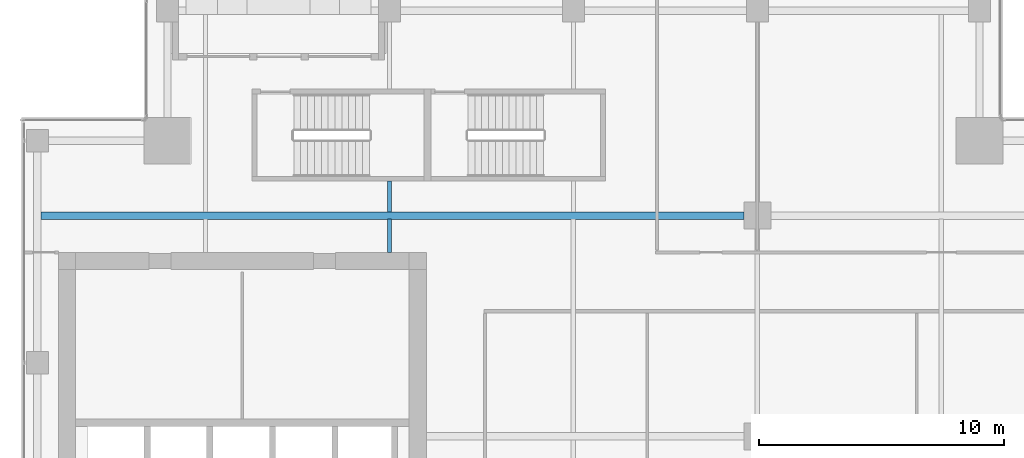
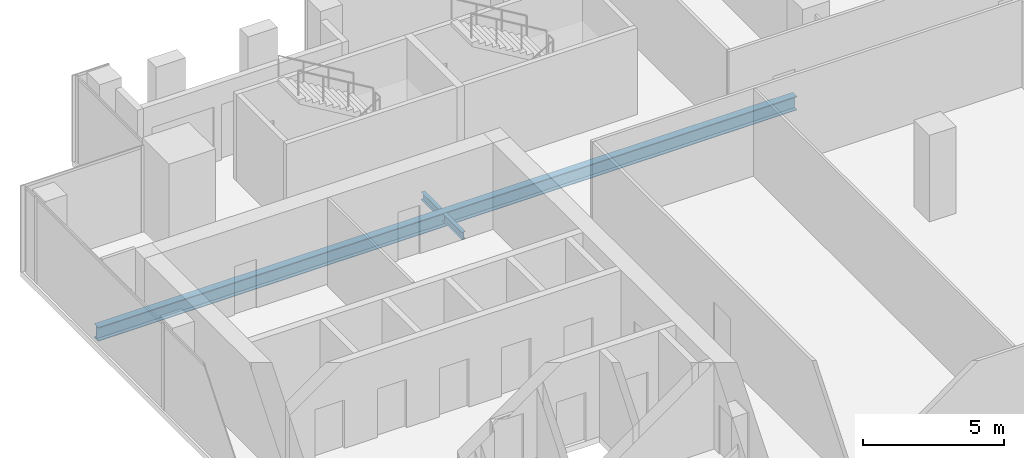
# One storey, part 17 of 36: 3 beams.
"""IFC4 building model written with IfcOpenShell, lengths in metres."""

from ifc_helpers import new_model, si_unit, direction, frame, origin, origin_2d, place, context, subcontext, project, spatial, i_section, extrude, source, transform, mapped, material, material_profile, profile_set, type_object, element, save


model = new_model("IFC4")

# Units and contexts
model_context = context("Model", 3, precision=1e-05, world=origin(), true_north=direction((0.0, 1.0)))
body_context = subcontext(model_context, "Body", "Model", "MODEL_VIEW")
ifc_project = project(units=[si_unit("LENGTHUNIT", "METRE"), si_unit("AREAUNIT", "SQUARE_METRE"), si_unit("VOLUMEUNIT", "CUBIC_METRE"), si_unit("PLANEANGLEUNIT", "RADIAN"), si_unit("MASSUNIT", "GRAM", prefix="KILO")], contexts=[model_context])

# Site, building, storey
site_placement = place(None, origin())
site = spatial("IfcSite", under=ifc_project, at=site_placement, CompositionType="ELEMENT")
building_placement = place(site_placement, origin())
building = spatial("IfcBuilding", under=site, at=building_placement, Name="Khomas Fold Tower", CompositionType="ELEMENT")
storey_placement = place(building_placement, frame((0.0, 0.0, 226.199951171875)))
storey = spatial("IfcBuildingStorey", under=building, at=storey_placement, Name="L50", CompositionType="ELEMENT", Elevation=226.199951171875)

# Beams
ifc_material_1 = material(Name="Steel S355", Category="steel")
ifc_material_profile_1 = material_profile(ifc_material_1, i_section(OverallWidth=0.159912109375, OverallDepth=0.330078125, WebThickness=0.007568359375, FlangeThickness=0.011474609375, at=origin_2d()), Name="IPE 330")
ifc_profile_set_1 = profile_set([ifc_material_profile_1], Name="Steel S355")
beam_type_1 = type_object("IfcBeamType", Name="IPE 330 beam JB1", PredefinedType="BEAM", material=ifc_profile_set_1)
shared_shape_1 = source(origin(), body_context, "Body", "SweptSolid", [
    extrude(i_section(OverallWidth=0.159912109375, OverallDepth=0.330078125, WebThickness=0.007568359375, FlangeThickness=0.011474609375, at=origin_2d()), origin(), (0.0, 0.0, 1.0), 1.25),
])
beam_1_placement = place(storey_placement, frame((19.5, 40.64990234375, -0.4150390625), z_axis=(0.0, 1.0, 0.0), x_axis=(-1.0, 0.0, 0.0)))
element("IfcBeam", 1, at=beam_1_placement, inside=storey, type_object=beam_type_1, Name="JB1", PredefinedType="BEAM", context=body_context, shape_type="MappedRepresentation", body=[
    mapped(shared_shape_1, transform((0.0, 0.0, 0.0))),
])
shared_shape_2 = source(origin(), body_context, "Body", "SweptSolid", [
    extrude(i_section(OverallWidth=0.159912109375, OverallDepth=0.330078125, WebThickness=0.007568359375, FlangeThickness=0.011474609375, at=origin_2d()), origin(), (0.0, 0.0, 1.0), 1.35009765625),
])
beam_2_placement = place(storey_placement, frame((19.5, 39.0, -0.4150390625), z_axis=(0.0, 1.0, 0.0), x_axis=(-1.0, 0.0, 0.0)))
element("IfcBeam", 2, at=beam_2_placement, inside=storey, type_object=beam_type_1, Name="JB1", PredefinedType="BEAM", context=body_context, shape_type="MappedRepresentation", body=[
    mapped(shared_shape_2, transform((0.0, 0.0, 0.0))),
])
ifc_material_2 = material(Name="Steel S355", Category="steel")
ifc_material_profile_2 = material_profile(ifc_material_2, i_section(OverallWidth=0.300048828125, OverallDepth=0.60009765625, WebThickness=0.015380859375, FlangeThickness=0.030029296875, at=origin_2d()), Name="HE 600 B")
ifc_profile_set_2 = profile_set([ifc_material_profile_2], Name="Steel S355")
beam_type_2 = type_object("IfcBeamType", Name="HE 600 B beam GB5", PredefinedType="BEAM", material=ifc_profile_set_2)
shared_shape_3 = source(origin(), body_context, "Body", "SweptSolid", [
    extrude(i_section(OverallWidth=0.300048828125, OverallDepth=0.60009765625, WebThickness=0.015380859375, FlangeThickness=0.030029296875, at=origin_2d()), origin(), (0.0, 0.0, 1.0), 28.64990234375),
])
beam_3_placement = place(storey_placement, frame((5.300048828125, 40.5, -0.550048828125), z_axis=(1.0, 0.0, 0.0), x_axis=(0.0, 1.0, 0.0)))
element("IfcBeam", 3, at=beam_3_placement, inside=storey, type_object=beam_type_2, Name="GB5", PredefinedType="BEAM", context=body_context, shape_type="MappedRepresentation", body=[
    mapped(shared_shape_3, transform((0.0, 0.0, 0.0))),
])

save(model, "model.ifc")
